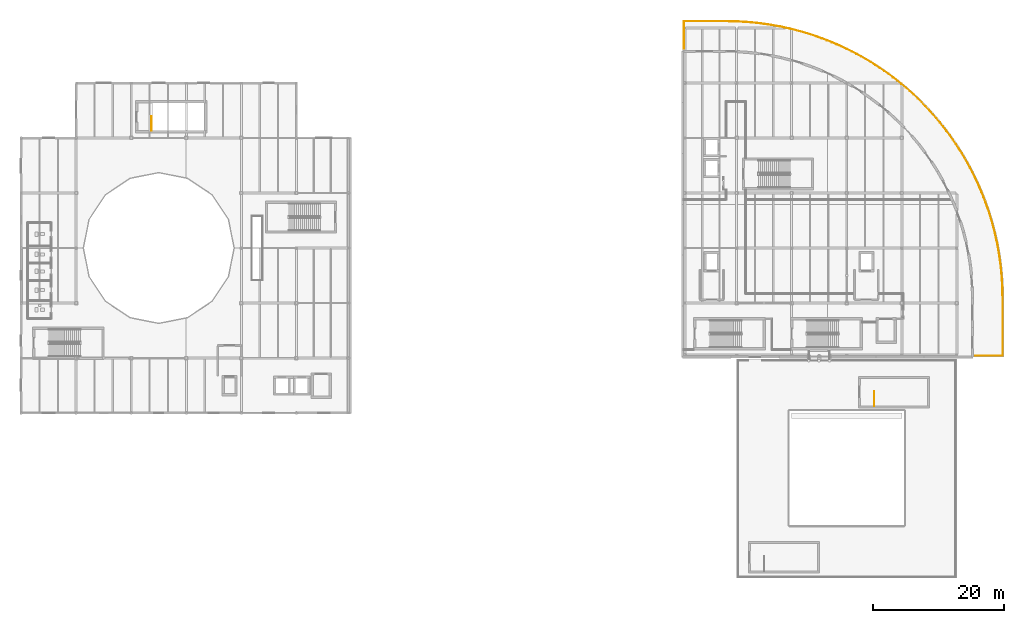
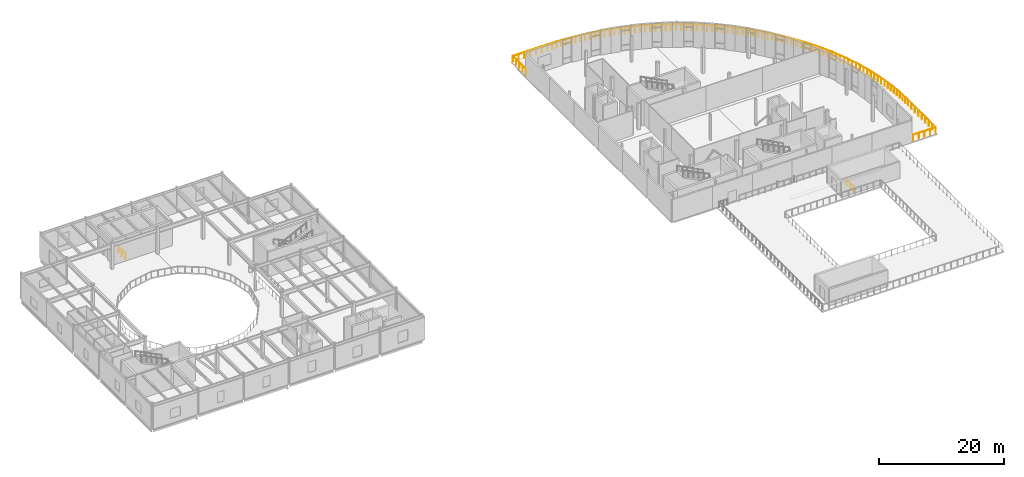
# One storey, part 56 of 57: 4 railings.
"""IFC4 building model written with IfcOpenShell, lengths in metres."""

from ifc_helpers import new_model, si_unit, direction, frame, origin, origin_2d, place, context, subcontext, project, spatial, circle, extrude, material, type_object, element, save


model = new_model("IFC4")

# Units and contexts
model_context = context("Model", 3, precision=1e-05, world=origin(), true_north=direction((0.0, 1.0)))
body_context = subcontext(model_context, "Body", "Model", "MODEL_VIEW")
ifc_project = project(units=[si_unit("LENGTHUNIT", "METRE"), si_unit("AREAUNIT", "SQUARE_METRE"), si_unit("VOLUMEUNIT", "CUBIC_METRE"), si_unit("PLANEANGLEUNIT", "RADIAN"), si_unit("MASSUNIT", "GRAM", prefix="KILO"), si_unit("THERMODYNAMICTEMPERATUREUNIT", "KELVIN")], contexts=[model_context])

# Site, building, storey
site_placement = place(None, origin())
site = spatial("IfcSite", under=ifc_project, at=site_placement, CompositionType="ELEMENT")
building_placement = place(site_placement, origin())
building = spatial("IfcBuilding", under=site, at=building_placement, Name="Lustrewick Department Store", CompositionType="ELEMENT")
storey_placement = place(building_placement, frame((0.0, 0.0, 26.699951171875)))
storey = spatial("IfcBuildingStorey", under=building, at=storey_placement, Name="L06", CompositionType="ELEMENT", Elevation=26.699951171875)

# Railings
ifc_material_1 = material(Name="Laminated glass and anodized aluminium guardrail", Category="aluminium")
railing_type_1 = type_object("IfcRailingType", Name="RL-EXT", PredefinedType="GUARDRAIL", material=ifc_material_1)
railing_1_placement = place(storey_placement, frame((109.550048828125, 101.800048828125, 0.0)))
element("IfcRailing", 1, at=railing_1_placement, inside=storey, type_object=railing_type_1, Name="L06 Terrace Perimeter Guardrail 0016", PredefinedType="GUARDRAIL", context=body_context, shape_type="SweptSolid", body=[
    extrude(circle(Radius=0.02392578125, at=origin_2d()), frame((0.0, 0.0, 1.17578125), z_axis=(1.0, 0.0, 0.0), x_axis=(0.0, 1.0, 0.0)), (0.0, 0.0, 1.0), 6.447998046875),
    extrude(circle(Radius=0.02392578125, at=origin_2d()), frame((6.447998046875, 0.0, 1.17578125), z_axis=(0.999805552739, -0.019719450113, 0.0), x_axis=(0.019719450113, 0.999805552739, 0.0)), (0.0, 0.0, 1.0), 1.658935546875),
    extrude(circle(Radius=0.02392578125, at=origin_2d()), frame((8.106689453125, -0.03271484375, 1.17578125), z_axis=(0.998270815236, -0.058782475691, 0.0), x_axis=(0.058782475691, 0.998270815236, 0.0)), (0.0, 0.0, 1.0), 1.6572265625),
    extrude(circle(Radius=0.02392578125, at=origin_2d()), frame((9.760986328125, -0.130126953125, 1.17578125), z_axis=(0.995174797551, -0.098117900099, 0.0), x_axis=(0.098117900099, 0.995174797551, 0.0)), (0.0, 0.0, 1.0), 1.6572265625),
    extrude(circle(Radius=0.02392578125, at=origin_2d()), frame((11.41015625, -0.292724609375, 1.17578125), z_axis=(0.990587401054, -0.136881703939, 0.0), x_axis=(0.136881703939, 0.990587401054, 0.0)), (0.0, 0.0, 1.0), 1.656982421875),
    extrude(circle(Radius=0.02392578125, at=origin_2d()), frame((13.051513671875, -0.51953125, 1.17578125), z_axis=(0.984407537656, -0.175902813523, 0.0), x_axis=(0.175902813523, 0.984407537656, 0.0)), (0.0, 0.0, 1.0), 1.6572265625),
    extrude(circle(Radius=0.02392578125, at=origin_2d()), frame((14.682861328125, -0.81103515625, 1.17578125), z_axis=(0.976779703789, -0.214246144111, 0.0), x_axis=(0.214246144111, 0.976779703789, 0.0)), (0.0, 0.0, 1.0), 1.656982421875),
    extrude(circle(Radius=0.02392578125, at=origin_2d()), frame((16.30126953125, -1.166015625, 1.17578125), z_axis=(0.967595366366, -0.252505855352, 0.0), x_axis=(0.252505855352, 0.967595366366, 0.0)), (0.0, 0.0, 1.0), 1.6572265625),
    extrude(circle(Radius=0.02392578125, at=origin_2d()), frame((17.90478515625, -1.58447265625, 1.17578125), z_axis=(0.956950023235, -0.290252739919, 0.0), x_axis=(0.290252739919, 0.956950023235, 0.0)), (0.0, 0.0, 1.0), 1.656982421875),
    extrude(circle(Radius=0.02392578125, at=origin_2d()), frame((19.490478515625, -2.0654296875, 1.17578125), z_axis=(0.944798501603, -0.327651936311, 0.0), x_axis=(0.327651936311, 0.944798501603, 0.0)), (0.0, 0.0, 1.0), 1.6572265625),
    extrude(circle(Radius=0.02392578125, at=origin_2d()), frame((21.05615234375, -2.6083984375, 1.17578125), z_axis=(0.931214520301, -0.364471558808, 0.0), x_axis=(0.364471558808, 0.931214520301, 0.0)), (0.0, 0.0, 1.0), 1.6572265625),
    extrude(circle(Radius=0.02392578125, at=origin_2d()), frame((22.599365234375, -3.21240234375, 1.17578125), z_axis=(0.916177623559, -0.400772456751, 0.0), x_axis=(0.400772456751, 0.916177623559, 0.0)), (0.0, 0.0, 1.0), 1.656982421875),
    extrude(circle(Radius=0.02392578125, at=origin_2d()), frame((24.117431640625, -3.87646484375, 1.17578125), z_axis=(0.899754508893, -0.436396406638, 0.0), x_axis=(0.436396406638, 0.899754508893, 0.0)), (0.0, 0.0, 1.0), 1.656982421875),
    extrude(circle(Radius=0.02392578125, at=origin_2d()), frame((25.6083984375, -4.599609375, 1.17578125), z_axis=(0.881895762759, -0.47144444384, 0.0), x_axis=(0.47144444384, 0.881895762759, 0.0)), (0.0, 0.0, 1.0), 1.6572265625),
    extrude(circle(Radius=0.02392578125, at=origin_2d()), frame((27.06982421875, -5.380859375, 1.17578125), z_axis=(0.862713486707, -0.505693029271, 0.0), x_axis=(0.505693029271, 0.862713486707, 0.0)), (0.0, 0.0, 1.0), 1.656982421875),
    extrude(circle(Radius=0.02392578125, at=origin_2d()), frame((28.499267578125, -6.21875, 1.17578125), z_axis=(0.84226337372, -0.539066238314, 0.0), x_axis=(0.539066238314, 0.84226337372, 0.0)), (0.0, 0.0, 1.0), 1.6572265625),
    extrude(circle(Radius=0.02392578125, at=origin_2d()), frame((29.89501953125, -7.112060546875, 1.17578125), z_axis=(0.8203793165, -0.571819706777, 0.0), x_axis=(0.571819706777, 0.8203793165, 0.0)), (0.0, 0.0, 1.0), 1.656982421875),
    extrude(circle(Radius=0.02392578125, at=origin_2d()), frame((31.25439453125, -8.0595703125, 1.17578125), z_axis=(0.797304829795, -0.603576845468, 0.0), x_axis=(0.603576845468, 0.797304829795, 0.0)), (0.0, 0.0, 1.0), 1.6572265625),
    extrude(circle(Radius=0.02392578125, at=origin_2d()), frame((32.57568359375, -9.059814453125, 1.17578125), z_axis=(0.773090043598, -0.634296290774, 0.0), x_axis=(0.634296290774, 0.773090043598, 0.0)), (0.0, 0.0, 1.0), 1.656982421875),
    extrude(circle(Radius=0.02392578125, at=origin_2d()), frame((33.856689453125, -10.11083984375, 1.17578125), z_axis=(0.747498719561, -0.664263249212, 0.0), x_axis=(0.664263249212, 0.747498719561, 0.0)), (0.0, 0.0, 1.0), 1.6572265625),
    extrude(circle(Radius=0.02392578125, at=origin_2d()), frame((35.095458984375, -11.211669921875, 1.17578125), z_axis=(0.72082173913, -0.693120494862, 0.0), x_axis=(0.693120494862, 0.72082173913, 0.0)), (0.0, 0.0, 1.0), 1.656982421875),
    extrude(circle(Radius=0.02392578125, at=origin_2d()), frame((36.289794921875, -12.360107421875, 1.17578125), z_axis=(0.693046882079, -0.720892515734, 0.0), x_axis=(0.720892515734, 0.693046882079, 0.0)), (0.0, 0.0, 1.0), 1.656982421875),
    extrude(circle(Radius=0.02392578125, at=origin_2d()), frame((37.438232421875, -13.5546875, 1.17578125), z_axis=(0.664263249212, -0.747498719561, 0.0), x_axis=(0.747498719561, 0.664263249212, 0.0)), (0.0, 0.0, 1.0), 1.6572265625),
    extrude(circle(Radius=0.02392578125, at=origin_2d()), frame((38.5390625, -14.79345703125, 1.17578125), z_axis=(0.63445659108, -0.772958494381, 0.0), x_axis=(0.772958494381, 0.63445659108, 0.0)), (0.0, 0.0, 1.0), 1.656982421875),
    extrude(circle(Radius=0.02392578125, at=origin_2d()), frame((39.59033203125, -16.07421875, 1.17578125), z_axis=(0.603483181334, -0.797375726899, 0.0), x_axis=(0.797375726899, 0.603483181334, 0.0)), (0.0, 0.0, 1.0), 1.656982421875),
    extrude(circle(Radius=0.02392578125, at=origin_2d()), frame((40.59033203125, -17.3955078125, 1.17578125), z_axis=(0.571819706777, -0.8203793165, 0.0), x_axis=(0.8203793165, 0.571819706777, 0.0)), (0.0, 0.0, 1.0), 1.656982421875),
    extrude(circle(Radius=0.02392578125, at=origin_2d()), frame((41.537841796875, -18.7548828125, 1.17578125), z_axis=(0.539066238314, -0.84226337372, 0.0), x_axis=(0.84226337372, 0.539066238314, 0.0)), (0.0, 0.0, 1.0), 1.6572265625),
    extrude(circle(Radius=0.02392578125, at=origin_2d()), frame((42.43115234375, -20.150634765625, 1.17578125), z_axis=(0.505738403068, -0.862686888542, 0.0), x_axis=(0.862686888542, 0.505738403068, 0.0)), (0.0, 0.0, 1.0), 1.6572265625),
    extrude(circle(Radius=0.02392578125, at=origin_2d()), frame((43.269287109375, -21.580322265625, 1.17578125), z_axis=(0.47144444384, -0.881895762759, 0.0), x_axis=(0.881895762759, 0.47144444384, 0.0)), (0.0, 0.0, 1.0), 1.6572265625),
    extrude(circle(Radius=0.02392578125, at=origin_2d()), frame((44.050537109375, -23.041748046875, 1.17578125), z_axis=(0.436334969695, -0.899784304276, 0.0), x_axis=(0.899784304276, 0.436334969695, 0.0)), (0.0, 0.0, 1.0), 1.65673828125),
    extrude(circle(Radius=0.02392578125, at=origin_2d()), frame((44.7734375, -24.532470703125, 1.17578125), z_axis=(0.40084201777, -0.916147191662, 0.0), x_axis=(0.916147191662, 0.40084201777, 0.0)), (0.0, 0.0, 1.0), 1.6572265625),
    extrude(circle(Radius=0.02392578125, at=origin_2d()), frame((45.437744140625, -26.05078125, 1.17578125), z_axis=(0.364393792796, -0.931244953689, 0.0), x_axis=(0.931244953689, 0.364393792796, 0.0)), (0.0, 0.0, 1.0), 1.656982421875),
    extrude(circle(Radius=0.02392578125, at=origin_2d()), frame((46.04150390625, -27.59375, 1.17578125), z_axis=(0.327606335447, -0.944814314548, 0.0), x_axis=(0.944814314548, 0.327606335447, 0.0)), (0.0, 0.0, 1.0), 1.657470703125),
    extrude(circle(Radius=0.02392578125, at=origin_2d()), frame((46.58447265625, -29.15966796875, 1.17578125), z_axis=(0.290252739919, -0.956950023235, 0.0), x_axis=(0.956950023235, 0.290252739919, 0.0)), (0.0, 0.0, 1.0), 1.656982421875),
    extrude(circle(Radius=0.02392578125, at=origin_2d()), frame((47.0654296875, -30.745361328125, 1.17578125), z_axis=(0.252541853957, -0.967585971374, 0.0), x_axis=(0.967585971374, 0.252541853957, 0.0)), (0.0, 0.0, 1.0), 1.656982421875),
    extrude(circle(Radius=0.02392578125, at=origin_2d()), frame((47.48388671875, -32.3486328125, 1.17578125), z_axis=(0.214355873417, -0.976755629383, 0.0), x_axis=(0.976755629383, 0.214355873417, 0.0)), (0.0, 0.0, 1.0), 1.6572265625),
    extrude(circle(Radius=0.02392578125, at=origin_2d()), frame((47.839111328125, -33.96728515625, 1.17578125), z_axis=(0.175760044102, -0.9844330383, 0.0), x_axis=(0.9844330383, 0.175760044102, 0.0)), (0.0, 0.0, 1.0), 1.6572265625),
    extrude(circle(Radius=0.02392578125, at=origin_2d()), frame((48.13037109375, -35.5986328125, 1.17578125), z_axis=(0.137026281916, -0.990567412176, 0.0), x_axis=(0.990567412176, 0.137026281916, 0.0)), (0.0, 0.0, 1.0), 1.656982421875),
    extrude(circle(Radius=0.02392578125, at=origin_2d()), frame((48.357421875, -37.239990234375, 1.17578125), z_axis=(0.09797199107, -0.995189172452, 0.0), x_axis=(0.995189172452, 0.09797199107, 0.0)), (0.0, 0.0, 1.0), 1.6572265625),
    extrude(circle(Radius=0.02392578125, at=origin_2d()), frame((48.519775390625, -38.88916015625, 1.17578125), z_axis=(0.05892928922, -0.998262159391, 0.0), x_axis=(0.998262159391, 0.05892928922, 0.0)), (0.0, 0.0, 1.0), 1.6572265625),
    extrude(circle(Radius=0.02392578125, at=origin_2d()), frame((48.617431640625, -40.54345703125, 1.17578125), z_axis=(0.019572346623, -0.999808443277, 0.0), x_axis=(0.999808443277, 0.019572346623, 0.0)), (0.0, 0.0, 1.0), 1.658935546875),
    extrude(circle(Radius=0.02392578125, at=origin_2d()), frame((48.64990234375, -42.2021484375, 1.17578125), z_axis=(0.0, -1.0, 0.0), x_axis=(1.0, 0.0, 0.0)), (0.0, 0.0, 1.0), 8.847900390625),
    extrude(circle(Radius=0.02392578125, at=origin_2d()), frame((48.64990234375, -51.050048828125, 1.17578125), z_axis=(-1.0, 0.0, 0.0), x_axis=(0.0, -1.0, 0.0)), (0.0, 0.0, 1.0), 4.14990234375),
    extrude(circle(Radius=0.02099609375, at=origin_2d()), origin(), (0.0, 0.0, 1.0), 1.15185546875),
    extrude(circle(Radius=0.02099609375, at=origin_2d()), frame((1.07470703125, 0.0, 0.0)), (0.0, 0.0, 1.0), 1.15185546875),
    extrude(circle(Radius=0.02099609375, at=origin_2d()), frame((2.1494140625, 0.0, 0.0)), (0.0, 0.0, 1.0), 1.15185546875),
    extrude(circle(Radius=0.02099609375, at=origin_2d()), frame((3.22412109375, 0.0, 0.0)), (0.0, 0.0, 1.0), 1.15185546875),
    extrude(circle(Radius=0.02099609375, at=origin_2d()), frame((4.298583984375, 0.0, 0.0)), (0.0, 0.0, 1.0), 1.15185546875),
    extrude(circle(Radius=0.02099609375, at=origin_2d()), frame((5.373291015625, 0.0, 0.0)), (0.0, 0.0, 1.0), 1.15185546875),
    extrude(circle(Radius=0.02099609375, at=origin_2d()), frame((6.447998046875, 0.0, 0.0)), (0.0, 0.0, 1.0), 1.15185546875),
    extrude(circle(Radius=0.02099609375, at=origin_2d()), frame((7.27734375, -0.016357421875, 0.0)), (0.0, 0.0, 1.0), 1.15185546875),
    extrude(circle(Radius=0.02099609375, at=origin_2d()), frame((8.106689453125, -0.03271484375, 0.0)), (0.0, 0.0, 1.0), 1.15185546875),
    extrude(circle(Radius=0.02099609375, at=origin_2d()), frame((8.933837890625, -0.08154296875, 0.0)), (0.0, 0.0, 1.0), 1.15185546875),
    extrude(circle(Radius=0.02099609375, at=origin_2d()), frame((9.760986328125, -0.130126953125, 0.0)), (0.0, 0.0, 1.0), 1.15185546875),
    extrude(circle(Radius=0.02099609375, at=origin_2d()), frame((10.58544921875, -0.21142578125, 0.0)), (0.0, 0.0, 1.0), 1.15185546875),
    extrude(circle(Radius=0.02099609375, at=origin_2d()), frame((11.41015625, -0.292724609375, 0.0)), (0.0, 0.0, 1.0), 1.15185546875),
    extrude(circle(Radius=0.02099609375, at=origin_2d()), frame((12.23095703125, -0.40625, 0.0)), (0.0, 0.0, 1.0), 1.15185546875),
    extrude(circle(Radius=0.02099609375, at=origin_2d()), frame((13.051513671875, -0.51953125, 0.0)), (0.0, 0.0, 1.0), 1.15185546875),
    extrude(circle(Radius=0.02099609375, at=origin_2d()), frame((13.8671875, -0.665283203125, 0.0)), (0.0, 0.0, 1.0), 1.15185546875),
    extrude(circle(Radius=0.02099609375, at=origin_2d()), frame((14.682861328125, -0.81103515625, 0.0)), (0.0, 0.0, 1.0), 1.15185546875),
    extrude(circle(Radius=0.02099609375, at=origin_2d()), frame((15.4921875, -0.988525390625, 0.0)), (0.0, 0.0, 1.0), 1.15185546875),
    extrude(circle(Radius=0.02099609375, at=origin_2d()), frame((16.30126953125, -1.166015625, 0.0)), (0.0, 0.0, 1.0), 1.15185546875),
    extrude(circle(Radius=0.02099609375, at=origin_2d()), frame((17.10302734375, -1.375244140625, 0.0)), (0.0, 0.0, 1.0), 1.15185546875),
    extrude(circle(Radius=0.02099609375, at=origin_2d()), frame((17.90478515625, -1.58447265625, 0.0)), (0.0, 0.0, 1.0), 1.15185546875),
    extrude(circle(Radius=0.02099609375, at=origin_2d()), frame((18.69775390625, -1.824951171875, 0.0)), (0.0, 0.0, 1.0), 1.15185546875),
    extrude(circle(Radius=0.02099609375, at=origin_2d()), frame((19.490478515625, -2.0654296875, 0.0)), (0.0, 0.0, 1.0), 1.15185546875),
    extrude(circle(Radius=0.02099609375, at=origin_2d()), frame((20.2734375, -2.3369140625, 0.0)), (0.0, 0.0, 1.0), 1.15185546875),
    extrude(circle(Radius=0.02099609375, at=origin_2d()), frame((21.05615234375, -2.6083984375, 0.0)), (0.0, 0.0, 1.0), 1.15185546875),
    extrude(circle(Radius=0.02099609375, at=origin_2d()), frame((21.82763671875, -2.910400390625, 0.0)), (0.0, 0.0, 1.0), 1.15185546875),
    extrude(circle(Radius=0.02099609375, at=origin_2d()), frame((22.599365234375, -3.21240234375, 0.0)), (0.0, 0.0, 1.0), 1.15185546875),
    extrude(circle(Radius=0.02099609375, at=origin_2d()), frame((23.3583984375, -3.54443359375, 0.0)), (0.0, 0.0, 1.0), 1.15185546875),
    extrude(circle(Radius=0.02099609375, at=origin_2d()), frame((24.117431640625, -3.87646484375, 0.0)), (0.0, 0.0, 1.0), 1.15185546875),
    extrude(circle(Radius=0.02099609375, at=origin_2d()), frame((24.86279296875, -4.238037109375, 0.0)), (0.0, 0.0, 1.0), 1.15185546875),
    extrude(circle(Radius=0.02099609375, at=origin_2d()), frame((25.6083984375, -4.599609375, 0.0)), (0.0, 0.0, 1.0), 1.15185546875),
    extrude(circle(Radius=0.02099609375, at=origin_2d()), frame((26.339111328125, -4.990234375, 0.0)), (0.0, 0.0, 1.0), 1.15185546875),
    extrude(circle(Radius=0.02099609375, at=origin_2d()), frame((27.06982421875, -5.380859375, 0.0)), (0.0, 0.0, 1.0), 1.15185546875),
    extrude(circle(Radius=0.02099609375, at=origin_2d()), frame((27.78466796875, -5.7998046875, 0.0)), (0.0, 0.0, 1.0), 1.15185546875),
    extrude(circle(Radius=0.02099609375, at=origin_2d()), frame((28.499267578125, -6.21875, 0.0)), (0.0, 0.0, 1.0), 1.15185546875),
    extrude(circle(Radius=0.02099609375, at=origin_2d()), frame((29.197265625, -6.66552734375, 0.0)), (0.0, 0.0, 1.0), 1.15185546875),
    extrude(circle(Radius=0.02099609375, at=origin_2d()), frame((29.89501953125, -7.112060546875, 0.0)), (0.0, 0.0, 1.0), 1.15185546875),
    extrude(circle(Radius=0.02099609375, at=origin_2d()), frame((30.57470703125, -7.5859375, 0.0)), (0.0, 0.0, 1.0), 1.15185546875),
    extrude(circle(Radius=0.02099609375, at=origin_2d()), frame((31.25439453125, -8.0595703125, 0.0)), (0.0, 0.0, 1.0), 1.15185546875),
    extrude(circle(Radius=0.02099609375, at=origin_2d()), frame((31.9150390625, -8.5595703125, 0.0)), (0.0, 0.0, 1.0), 1.15185546875),
    extrude(circle(Radius=0.02099609375, at=origin_2d()), frame((32.57568359375, -9.059814453125, 0.0)), (0.0, 0.0, 1.0), 1.15185546875),
    extrude(circle(Radius=0.02099609375, at=origin_2d()), frame((33.21630859375, -9.58544921875, 0.0)), (0.0, 0.0, 1.0), 1.15185546875),
    extrude(circle(Radius=0.02099609375, at=origin_2d()), frame((33.856689453125, -10.11083984375, 0.0)), (0.0, 0.0, 1.0), 1.15185546875),
    extrude(circle(Radius=0.02099609375, at=origin_2d()), frame((34.47607421875, -10.6611328125, 0.0)), (0.0, 0.0, 1.0), 1.15185546875),
    extrude(circle(Radius=0.02099609375, at=origin_2d()), frame((35.095458984375, -11.211669921875, 0.0)), (0.0, 0.0, 1.0), 1.15185546875),
    extrude(circle(Radius=0.02099609375, at=origin_2d()), frame((35.692626953125, -11.785888671875, 0.0)), (0.0, 0.0, 1.0), 1.15185546875),
    extrude(circle(Radius=0.02099609375, at=origin_2d()), frame((36.289794921875, -12.360107421875, 0.0)), (0.0, 0.0, 1.0), 1.15185546875),
    extrude(circle(Radius=0.02099609375, at=origin_2d()), frame((36.864013671875, -12.95751953125, 0.0)), (0.0, 0.0, 1.0), 1.15185546875),
    extrude(circle(Radius=0.02099609375, at=origin_2d()), frame((37.438232421875, -13.5546875, 0.0)), (0.0, 0.0, 1.0), 1.15185546875),
    extrude(circle(Radius=0.02099609375, at=origin_2d()), frame((37.98876953125, -14.174072265625, 0.0)), (0.0, 0.0, 1.0), 1.15185546875),
    extrude(circle(Radius=0.02099609375, at=origin_2d()), frame((38.5390625, -14.79345703125, 0.0)), (0.0, 0.0, 1.0), 1.15185546875),
    extrude(circle(Radius=0.02099609375, at=origin_2d()), frame((39.064697265625, -15.433837890625, 0.0)), (0.0, 0.0, 1.0), 1.15185546875),
    extrude(circle(Radius=0.02099609375, at=origin_2d()), frame((39.59033203125, -16.07421875, 0.0)), (0.0, 0.0, 1.0), 1.15185546875),
    extrude(circle(Radius=0.02099609375, at=origin_2d()), frame((40.09033203125, -16.73486328125, 0.0)), (0.0, 0.0, 1.0), 1.15185546875),
    extrude(circle(Radius=0.02099609375, at=origin_2d()), frame((40.59033203125, -17.3955078125, 0.0)), (0.0, 0.0, 1.0), 1.15185546875),
    extrude(circle(Radius=0.02099609375, at=origin_2d()), frame((41.06396484375, -18.0751953125, 0.0)), (0.0, 0.0, 1.0), 1.15185546875),
    extrude(circle(Radius=0.02099609375, at=origin_2d()), frame((41.537841796875, -18.7548828125, 0.0)), (0.0, 0.0, 1.0), 1.15185546875),
    extrude(circle(Radius=0.02099609375, at=origin_2d()), frame((41.984375, -19.45263671875, 0.0)), (0.0, 0.0, 1.0), 1.15185546875),
    extrude(circle(Radius=0.02099609375, at=origin_2d()), frame((42.43115234375, -20.150634765625, 0.0)), (0.0, 0.0, 1.0), 1.15185546875),
    extrude(circle(Radius=0.02099609375, at=origin_2d()), frame((42.85009765625, -20.865478515625, 0.0)), (0.0, 0.0, 1.0), 1.15185546875),
    extrude(circle(Radius=0.02099609375, at=origin_2d()), frame((43.269287109375, -21.580322265625, 0.0)), (0.0, 0.0, 1.0), 1.15185546875),
    extrude(circle(Radius=0.02099609375, at=origin_2d()), frame((43.659912109375, -22.31103515625, 0.0)), (0.0, 0.0, 1.0), 1.15185546875),
    extrude(circle(Radius=0.02099609375, at=origin_2d()), frame((44.050537109375, -23.041748046875, 0.0)), (0.0, 0.0, 1.0), 1.15185546875),
    extrude(circle(Radius=0.02099609375, at=origin_2d()), frame((44.412109375, -23.787109375, 0.0)), (0.0, 0.0, 1.0), 1.15185546875),
    extrude(circle(Radius=0.02099609375, at=origin_2d()), frame((44.7734375, -24.532470703125, 0.0)), (0.0, 0.0, 1.0), 1.15185546875),
    extrude(circle(Radius=0.02099609375, at=origin_2d()), frame((45.10546875, -25.29150390625, 0.0)), (0.0, 0.0, 1.0), 1.15185546875),
    extrude(circle(Radius=0.02099609375, at=origin_2d()), frame((45.437744140625, -26.05078125, 0.0)), (0.0, 0.0, 1.0), 1.15185546875),
    extrude(circle(Radius=0.02099609375, at=origin_2d()), frame((45.73974609375, -26.822265625, 0.0)), (0.0, 0.0, 1.0), 1.15185546875),
    extrude(circle(Radius=0.02099609375, at=origin_2d()), frame((46.04150390625, -27.59375, 0.0)), (0.0, 0.0, 1.0), 1.15185546875),
    extrude(circle(Radius=0.02099609375, at=origin_2d()), frame((46.31298828125, -28.376708984375, 0.0)), (0.0, 0.0, 1.0), 1.15185546875),
    extrude(circle(Radius=0.02099609375, at=origin_2d()), frame((46.58447265625, -29.15966796875, 0.0)), (0.0, 0.0, 1.0), 1.15185546875),
    extrude(circle(Radius=0.02099609375, at=origin_2d()), frame((46.824951171875, -29.95263671875, 0.0)), (0.0, 0.0, 1.0), 1.15185546875),
    extrude(circle(Radius=0.02099609375, at=origin_2d()), frame((47.0654296875, -30.745361328125, 0.0)), (0.0, 0.0, 1.0), 1.15185546875),
    extrude(circle(Radius=0.02099609375, at=origin_2d()), frame((47.274658203125, -31.546875, 0.0)), (0.0, 0.0, 1.0), 1.15185546875),
    extrude(circle(Radius=0.02099609375, at=origin_2d()), frame((47.48388671875, -32.3486328125, 0.0)), (0.0, 0.0, 1.0), 1.15185546875),
    extrude(circle(Radius=0.02099609375, at=origin_2d()), frame((47.66162109375, -33.157958984375, 0.0)), (0.0, 0.0, 1.0), 1.15185546875),
    extrude(circle(Radius=0.02099609375, at=origin_2d()), frame((47.839111328125, -33.96728515625, 0.0)), (0.0, 0.0, 1.0), 1.15185546875),
    extrude(circle(Radius=0.02099609375, at=origin_2d()), frame((47.98486328125, -34.782958984375, 0.0)), (0.0, 0.0, 1.0), 1.15185546875),
    extrude(circle(Radius=0.02099609375, at=origin_2d()), frame((48.13037109375, -35.5986328125, 0.0)), (0.0, 0.0, 1.0), 1.15185546875),
    extrude(circle(Radius=0.02099609375, at=origin_2d()), frame((48.243896484375, -36.41943359375, 0.0)), (0.0, 0.0, 1.0), 1.15185546875),
    extrude(circle(Radius=0.02099609375, at=origin_2d()), frame((48.357421875, -37.239990234375, 0.0)), (0.0, 0.0, 1.0), 1.15185546875),
    extrude(circle(Radius=0.02099609375, at=origin_2d()), frame((48.4384765625, -38.064453125, 0.0)), (0.0, 0.0, 1.0), 1.15185546875),
    extrude(circle(Radius=0.02099609375, at=origin_2d()), frame((48.519775390625, -38.88916015625, 0.0)), (0.0, 0.0, 1.0), 1.15185546875),
    extrude(circle(Radius=0.02099609375, at=origin_2d()), frame((48.568603515625, -39.71630859375, 0.0)), (0.0, 0.0, 1.0), 1.15185546875),
    extrude(circle(Radius=0.02099609375, at=origin_2d()), frame((48.617431640625, -40.54345703125, 0.0)), (0.0, 0.0, 1.0), 1.15185546875),
    extrude(circle(Radius=0.02099609375, at=origin_2d()), frame((48.6337890625, -41.372802734375, 0.0)), (0.0, 0.0, 1.0), 1.15185546875),
    extrude(circle(Radius=0.02099609375, at=origin_2d()), frame((48.64990234375, -42.2021484375, 0.0)), (0.0, 0.0, 1.0), 1.15185546875),
    extrude(circle(Radius=0.02099609375, at=origin_2d()), frame((48.64990234375, -43.30810546875, 0.0)), (0.0, 0.0, 1.0), 1.15185546875),
    extrude(circle(Radius=0.02099609375, at=origin_2d()), frame((48.64990234375, -44.4140625, 0.0)), (0.0, 0.0, 1.0), 1.15185546875),
    extrude(circle(Radius=0.02099609375, at=origin_2d()), frame((48.64990234375, -45.52001953125, 0.0)), (0.0, 0.0, 1.0), 1.15185546875),
    extrude(circle(Radius=0.02099609375, at=origin_2d()), frame((48.64990234375, -46.6259765625, 0.0)), (0.0, 0.0, 1.0), 1.15185546875),
    extrude(circle(Radius=0.02099609375, at=origin_2d()), frame((48.64990234375, -47.732177734375, 0.0)), (0.0, 0.0, 1.0), 1.15185546875),
    extrude(circle(Radius=0.02099609375, at=origin_2d()), frame((48.64990234375, -48.838134765625, 0.0)), (0.0, 0.0, 1.0), 1.15185546875),
    extrude(circle(Radius=0.02099609375, at=origin_2d()), frame((48.64990234375, -49.944091796875, 0.0)), (0.0, 0.0, 1.0), 1.15185546875),
    extrude(circle(Radius=0.02099609375, at=origin_2d()), frame((48.64990234375, -51.050048828125, 0.0)), (0.0, 0.0, 1.0), 1.15185546875),
    extrude(circle(Radius=0.02099609375, at=origin_2d()), frame((47.6123046875, -51.050048828125, 0.0)), (0.0, 0.0, 1.0), 1.15185546875),
    extrude(circle(Radius=0.02099609375, at=origin_2d()), frame((46.574951171875, -51.050048828125, 0.0)), (0.0, 0.0, 1.0), 1.15185546875),
    extrude(circle(Radius=0.02099609375, at=origin_2d()), frame((45.53759765625, -51.050048828125, 0.0)), (0.0, 0.0, 1.0), 1.15185546875),
    extrude(circle(Radius=0.02099609375, at=origin_2d()), frame((44.5, -51.050048828125, 0.0)), (0.0, 0.0, 1.0), 1.15185546875),
])
railing_2_placement = place(storey_placement, frame((109.550048828125, 97.64990234375, 0.0)))
element("IfcRailing", 2, at=railing_2_placement, inside=storey, type_object=railing_type_1, Name="L06 Terrace Perimeter Guardrail 0017", PredefinedType="GUARDRAIL", context=body_context, shape_type="SweptSolid", body=[
    extrude(circle(Radius=0.02392578125, at=origin_2d()), frame((0.0, 0.0, 1.17578125), z_axis=(0.0, 1.0, 0.0), x_axis=(-1.0, 0.0, 0.0)), (0.0, 0.0, 1.0), 4.150146484375),
    extrude(circle(Radius=0.02099609375, at=origin_2d()), origin(), (0.0, 0.0, 1.0), 1.15185546875),
    extrude(circle(Radius=0.02099609375, at=origin_2d()), frame((0.0, 1.03759765625, 0.0)), (0.0, 0.0, 1.0), 1.15185546875),
    extrude(circle(Radius=0.02099609375, at=origin_2d()), frame((0.0, 2.0751953125, 0.0)), (0.0, 0.0, 1.0), 1.15185546875),
    extrude(circle(Radius=0.02099609375, at=origin_2d()), frame((0.0, 3.112548828125, 0.0)), (0.0, 0.0, 1.0), 1.15185546875),
    extrude(circle(Radius=0.02099609375, at=origin_2d()), frame((0.0, 4.150146484375, 0.0)), (0.0, 0.0, 1.0), 1.15185546875),
])
ifc_material_2 = material(Name="Painted tubular steel stairwell guardrail", Category="steel")
railing_type_2 = type_object("IfcRailingType", Name="RL-STG", PredefinedType="GUARDRAIL", material=ifc_material_2)
for number, where, name in (
    (3, (28.300048828125, 85.10009765625, 0.0), "L06 ST03 Top Well Guard 1"),
    (4, (138.60009765625, 43.10009765625, 0.0), "L06 ST08 Top Well Guard 1"),
):
    element("IfcRailing", number, at=place(storey_placement, frame(where)), inside=storey, type_object=railing_type_2, Name=name, PredefinedType="GUARDRAIL", context=body_context, shape_type="SweptSolid", body=[
        extrude(circle(Radius=0.02392578125, at=origin_2d()), frame((0.0, 0.0, 1.17578125), z_axis=(0.0, 1.0, 0.0), x_axis=(-1.0, 0.0, 0.0)), (0.0, 0.0, 1.0), 2.199951171875),
        extrude(circle(Radius=0.02099609375, at=origin_2d()), origin(), (0.0, 0.0, 1.0), 1.15185546875),
        extrude(circle(Radius=0.02099609375, at=origin_2d()), frame((0.0, 1.10009765625, 0.0)), (0.0, 0.0, 1.0), 1.15185546875),
        extrude(circle(Radius=0.02099609375, at=origin_2d()), frame((0.0, 2.199951171875, 0.0)), (0.0, 0.0, 1.0), 1.15185546875),
    ])

save(model, "model.ifc")
